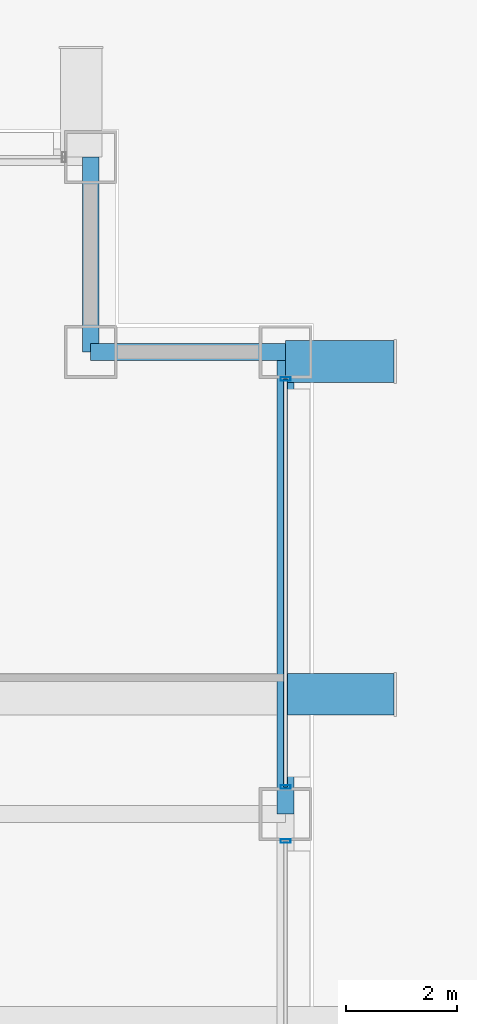
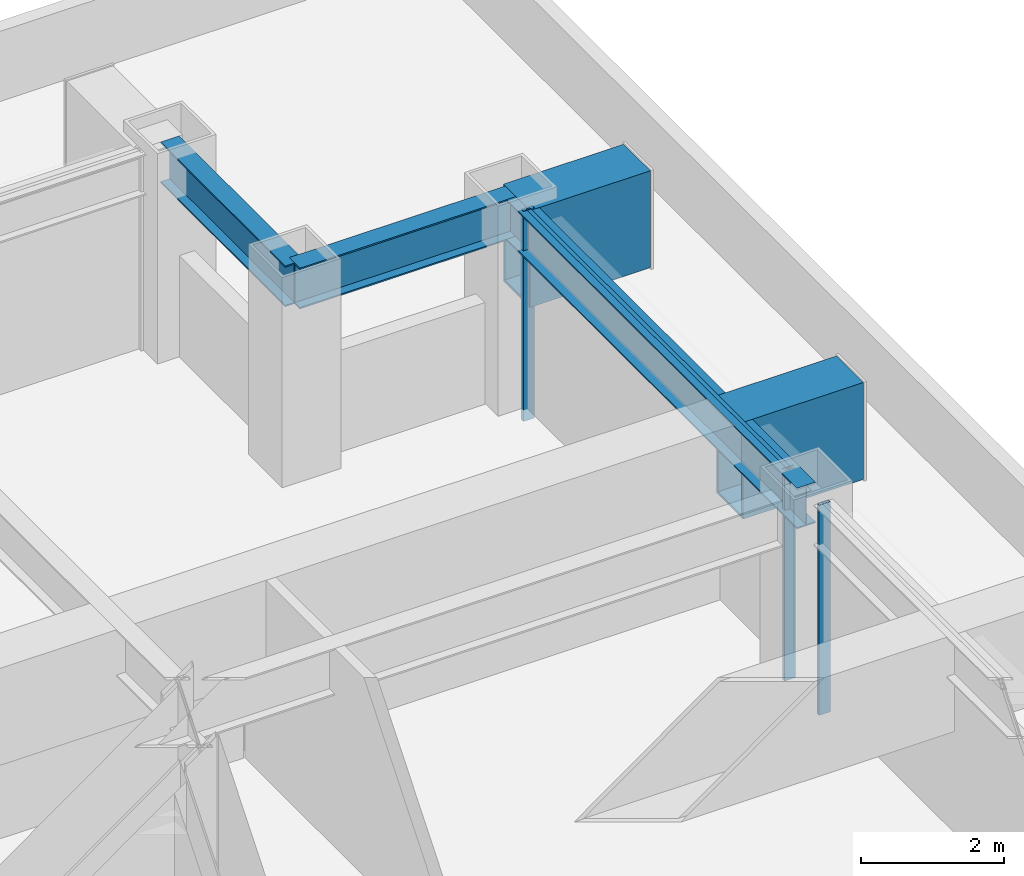
# One storey, part 23 of 33: 5 beams, 4 members, 2 elements without a shape of their own.
"""IFC4 building model written with IfcOpenShell, lengths in metres."""

from ifc_helpers import new_model, si_unit, direction, frame, origin, origin_2d, place, context, subcontext, project, spatial, hollow_rectangle, i_section, extrude, material, layer, layer_set, material_profile, profile_set, type_object, element, aggregate, save


model = new_model("IFC4")

# Units and contexts
model_context = context("Model", 3, precision=1e-05, world=origin(), true_north=direction((0.0, 1.0)))
body_context = subcontext(model_context, "Body", "Model", "MODEL_VIEW")
ifc_project = project(units=[si_unit("LENGTHUNIT", "METRE"), si_unit("AREAUNIT", "SQUARE_METRE"), si_unit("VOLUMEUNIT", "CUBIC_METRE"), si_unit("PLANEANGLEUNIT", "RADIAN"), si_unit("MASSUNIT", "GRAM", prefix="KILO")], contexts=[model_context])

# Site, building, storey
site_placement = place(None, origin())
site = spatial("IfcSite", under=ifc_project, at=site_placement, CompositionType="ELEMENT")
building_placement = place(site_placement, origin())
building = spatial("IfcBuilding", under=site, at=building_placement, Name="Brelmoor Portico Tower", CompositionType="ELEMENT")
storey_placement = place(building_placement, frame((0.0, 0.0, 24.0)))
storey = spatial("IfcBuildingStorey", under=building, at=storey_placement, Name="L05", CompositionType="ELEMENT", Elevation=24.0)

# Beams
ifc_material_1 = material(Name="Steel Q355B", Category="steel")
ifc_material_profile_1 = material_profile(ifc_material_1, hollow_rectangle(XDim=0.75, YDim=1.659912109375, WallThickness=0.0419921875, at=origin_2d()), Name="BOX 750x1660x42")
ifc_profile_set_1 = profile_set([ifc_material_profile_1], Name="Steel Q355B")
beam_type_1 = type_object("IfcBeamType", Name="BM-PF-CANT", PredefinedType="BEAM", material=ifc_profile_set_1)
for number, where, z_axis, x_axis, name in (
    (1, (24.550048828125, 17.8798828125, 2.570068359375), (1.0, 0.0, 0.0), (0.0, 1.0, 0.0), "L05 Picture-Frame Outrigger Transfer Cantilever PFB-06"),
    (2, (24.550048828125, 11.89990234375, 2.570068359375), (1.0, 0.0, 0.0), (0.0, 1.0, 0.0), "L05 Picture-Frame Outrigger Transfer Cantilever PFB-07"),
):
    element("IfcBeam", number, at=place(storey_placement, frame(where, z_axis=z_axis, x_axis=x_axis)), inside=storey, type_object=beam_type_1, Name=name, PredefinedType="BEAM", context=body_context, shape_type="SweptSolid", body=[
        extrude(hollow_rectangle(XDim=0.75, YDim=1.659912109375, WallThickness=0.0419921875, at=origin_2d()), origin(), (0.0, 0.0, 1.0), 1.949951171875),
    ])
ifc_material_profile_2 = material_profile(ifc_material_1, i_section(OverallWidth=0.300048828125, OverallDepth=0.699951171875, WebThickness=0.012939453125, FlangeThickness=0.02392578125, at=origin_2d()), Name="HN 700x300x13x24")
ifc_profile_set_2 = profile_set([ifc_material_profile_2], Name="Steel Q355B")
beam_type_2 = type_object("IfcBeamType", Name="BM-SP-700", PredefinedType="SPANDREL", material=ifc_profile_set_2)
for number, where, z_axis, x_axis, name in (
    (3, (21.050048828125, 18.050048828125, 3.050048828125), (1.0, 0.0, 0.0), (0.0, 1.0, 0.0), "L05 Perimeter Spandrel Beam SP-09"),
    (4, (21.050048828125, 18.050048828125, 3.050048828125), (0.0, 1.0, 0.0), (-1.0, 0.0, 0.0), "L05 Perimeter Spandrel Beam SP-21"),
):
    element("IfcBeam", number, at=place(storey_placement, frame(where, z_axis=z_axis, x_axis=x_axis)), inside=storey, type_object=beam_type_2, Name=name, PredefinedType="SPANDREL", context=body_context, shape_type="SweptSolid", body=[
        extrude(i_section(OverallWidth=0.300048828125, OverallDepth=0.699951171875, WebThickness=0.012939453125, FlangeThickness=0.02392578125, at=origin_2d()), origin(), (0.0, 0.0, 1.0), 3.5),
    ])
beam_placement = place(storey_placement, frame((24.550048828125, 9.75, 3.050048828125), z_axis=(0.0, 1.0, 0.0), x_axis=(-1.0, 0.0, 0.0)))
element("IfcBeam", 5, at=beam_placement, inside=storey, type_object=beam_type_2, Name="L05 Perimeter Spandrel Beam SP-24", PredefinedType="SPANDREL", context=body_context, shape_type="SweptSolid", body=[
    extrude(i_section(OverallWidth=0.300048828125, OverallDepth=0.699951171875, WebThickness=0.012939453125, FlangeThickness=0.02392578125, at=origin_2d()), origin(), (0.0, 0.0, 1.0), 8.300048828125),
])

# Curtain wall, member
ifc_material_2 = material(Name="Anodised Aluminium Alloy 6063-T6", Category="aluminium")
ifc_layer = layer(ifc_material_2, 0.179931640625)
ifc_layer_set = layer_set([ifc_layer], Name="Anodised Aluminium Alloy 6063-T6")
curtain_wall_type = type_object("IfcCurtainWallType", Name="CW-TOWER-Z1-XB", PredefinedType="NOTDEFINED", material=ifc_layer_set)
curtain_wall_1_placement = place(storey_placement, origin())
curtain_wall_1 = element("IfcCurtainWall", 6, at=curtain_wall_1_placement, inside=storey, type_object=curtain_wall_type, Name="L05 Curtain Wall CW-L05-04-2b", PredefinedType="NOTDEFINED")
ifc_material_profile_3 = material_profile(ifc_material_2, hollow_rectangle(XDim=0.06494140625, YDim=0.179931640625, WallThickness=0.00390625, at=origin_2d()), Name="ALU MULLION 65x180")
ifc_profile_set_3 = profile_set([ifc_material_profile_3], Name="Anodised Aluminium Alloy 6063-T6")
member_type_1 = type_object("IfcMemberType", Name="MB-CW-MULL-180", PredefinedType="MULLION", material=ifc_profile_set_3)
member_1_placement = place(storey_placement, frame((24.550048828125, 9.264892578125, -0.199951171875), z_axis=(0.0, 0.0, 1.0), x_axis=(0.0, 1.0, 0.0)))
member_1 = element("IfcMember", 7, at=member_1_placement, type_object=member_type_1, Name="CW-L05-04-2b Mullion 01", PredefinedType="MULLION", context=body_context, shape_type="SweptSolid", body=[
    extrude(hollow_rectangle(XDim=0.06494140625, YDim=0.179931640625, WallThickness=0.00390625, at=origin_2d()), origin(), (0.0, 0.0, 1.0), 3.599853515625),
])
aggregate(curtain_wall_1, [member_1])

# Curtain wall, members
curtain_wall_2_placement = place(storey_placement, origin())
curtain_wall_2 = element("IfcCurtainWall", 8, at=curtain_wall_2_placement, inside=storey, type_object=curtain_wall_type, Name="L05 Curtain Wall CW-L05-04-3", PredefinedType="NOTDEFINED")
member_2_placement = place(storey_placement, frame((24.550048828125, 10.235107421875, -0.199951171875), z_axis=(0.0, 0.0, 1.0), x_axis=(0.0, 1.0, 0.0)))
member_2 = element("IfcMember", 9, at=member_2_placement, type_object=member_type_1, Name="CW-L05-04-3 Mullion 00", PredefinedType="MULLION", context=body_context, shape_type="SweptSolid", body=[
    extrude(hollow_rectangle(XDim=0.06494140625, YDim=0.179931640625, WallThickness=0.00390625, at=origin_2d()), origin(), (0.0, 0.0, 1.0), 3.599853515625),
])
member_3_placement = place(storey_placement, frame((24.550048828125, 17.56494140625, -0.199951171875), z_axis=(0.0, 0.0, 1.0), x_axis=(0.0, 1.0, 0.0)))
member_3 = element("IfcMember", 10, at=member_3_placement, type_object=member_type_1, Name="CW-L05-04-3 Mullion 01", PredefinedType="MULLION", context=body_context, shape_type="SweptSolid", body=[
    extrude(hollow_rectangle(XDim=0.06494140625, YDim=0.179931640625, WallThickness=0.00390625, at=origin_2d()), origin(), (0.0, 0.0, 1.0), 3.599853515625),
])
ifc_material_profile_4 = material_profile(ifc_material_2, hollow_rectangle(XDim=0.06494140625, YDim=0.139892578125, WallThickness=0.00390625, at=origin_2d()), Name="ALU TRANSOM 65x140")
ifc_profile_set_4 = profile_set([ifc_material_profile_4], Name="Anodised Aluminium Alloy 6063-T6")
member_type_2 = type_object("IfcMemberType", Name="MB-CW-TRAN-140", PredefinedType="USERDEFINED", material=ifc_profile_set_4)
member_4_placement = place(storey_placement, frame((24.550048828125, 10.235107421875, 3.330078125), z_axis=(0.0, 1.0, 0.0), x_axis=(-1.0, 0.0, 0.0)))
member_4 = element("IfcMember", 11, at=member_4_placement, type_object=member_type_2, Name="CW-L05-04-3 Transom 1-00", ObjectType="TRANSOM", PredefinedType="USERDEFINED", context=body_context, shape_type="SweptSolid", body=[
    extrude(hollow_rectangle(XDim=0.06494140625, YDim=0.139892578125, WallThickness=0.00390625, at=origin_2d()), origin(), (0.0, 0.0, 1.0), 7.329833984375),
])
aggregate(curtain_wall_2, [member_2, member_3, member_4])

save(model, "model.ifc")
